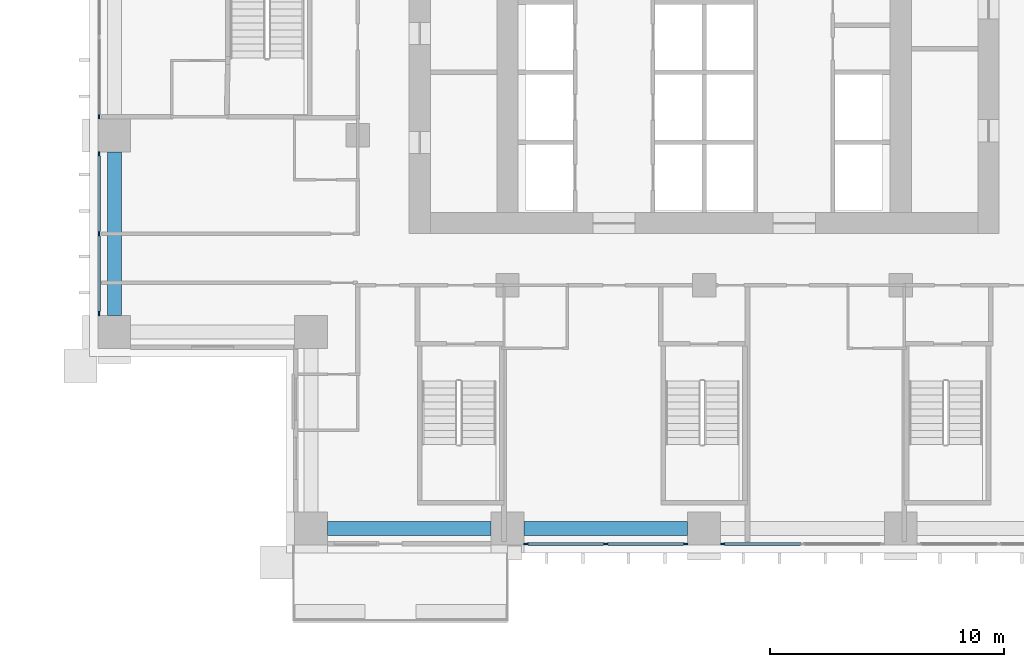
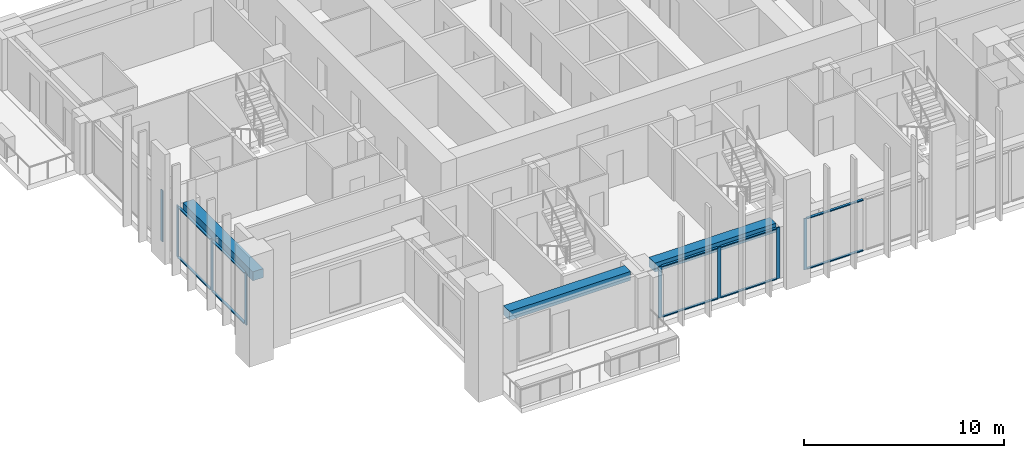
# One storey, part 2 of 17: 18 members, 3 beams, 4 elements without a shape of their own.
"""IFC4 building model written with IfcOpenShell, lengths in metres."""

from ifc_helpers import new_model, si_unit, direction, frame, origin, origin_2d, place, context, subcontext, project, spatial, rectangle, extrude, material, material_profile, profile_set, type_object, element, aggregate, save


model = new_model("IFC4")

# Units and contexts
model_context = context("Model", 3, precision=1e-05, world=origin(), true_north=direction((0.0, 1.0)))
body_context = subcontext(model_context, "Body", "Model", "MODEL_VIEW")
ifc_project = project(units=[si_unit("LENGTHUNIT", "METRE"), si_unit("AREAUNIT", "SQUARE_METRE"), si_unit("VOLUMEUNIT", "CUBIC_METRE"), si_unit("PLANEANGLEUNIT", "RADIAN"), si_unit("MASSUNIT", "GRAM", prefix="KILO")], contexts=[model_context])

# Site, building, storey
site_placement = place(None, origin())
site = spatial("IfcSite", under=ifc_project, at=site_placement, CompositionType="ELEMENT")
building_placement = place(site_placement, origin())
building = spatial("IfcBuilding", under=site, at=building_placement, Name="Vermilion Ogive Tower", CompositionType="ELEMENT")
storey_placement = place(building_placement, frame((0.0, 0.0, 69.0)))
storey = spatial("IfcBuildingStorey", under=building, at=storey_placement, Name="L16", CompositionType="ELEMENT", Elevation=69.0)

# Curtain wall, members
ifc_material_1 = material(Name="Low-iron laminated glazing in aluminium frame", Category="aluminium")
curtain_wall_type = type_object("IfcCurtainWallType", Name="Curtain wall CW7", PredefinedType="NOTDEFINED", material=ifc_material_1)
curtain_wall_1_placement = place(storey_placement, origin())
curtain_wall_1 = element("IfcCurtainWall", 1, at=curtain_wall_1_placement, inside=storey, type_object=curtain_wall_type, Name="Glazed skin S2", PredefinedType="NOTDEFINED")
ifc_material_2 = material(Name="Aluminium mullion", Category="aluminium")
ifc_material_profile_1 = material_profile(ifc_material_2, rectangle(XDim=0.06005859375, YDim=0.179931640625, at=origin_2d()), Name="AL 60x180")
ifc_profile_set_1 = profile_set([ifc_material_profile_1], Name="Aluminium mullion")
member_type_1 = type_object("IfcMemberType", Name="CW7 mullion 60x180", PredefinedType="MULLION", material=ifc_profile_set_1)
member_1_placement = place(storey_placement, frame((-7.610107421875, -21.64990234375, 0.0), z_axis=(0.0, 0.0, 1.0), x_axis=(0.0, 1.0, 0.0)))
member_1 = element("IfcMember", 2, at=member_1_placement, type_object=member_type_1, Name="CW7-S2 mullion 1", PredefinedType="MULLION", context=body_context, shape_type="SweptSolid", body=[
    extrude(rectangle(XDim=0.06005859375, YDim=0.179931640625, at=origin_2d()), origin(), (0.0, 0.0, 1.0), 3.1298828125),
])
member_2_placement = place(storey_placement, frame((-4.199951171875, -21.64990234375, 0.0), z_axis=(0.0, 0.0, 1.0), x_axis=(0.0, 1.0, 0.0)))
member_2 = element("IfcMember", 3, at=member_2_placement, type_object=member_type_1, Name="CW7-S2 mullion 2", PredefinedType="MULLION", context=body_context, shape_type="SweptSolid", body=[
    extrude(rectangle(XDim=0.06005859375, YDim=0.179931640625, at=origin_2d()), origin(), (0.0, 0.0, 1.0), 3.1298828125),
])
member_3_placement = place(storey_placement, frame((-0.7900390625, -21.64990234375, 0.0), z_axis=(0.0, 0.0, 1.0), x_axis=(0.0, 1.0, 0.0)))
member_3 = element("IfcMember", 4, at=member_3_placement, type_object=member_type_1, Name="CW7-S2 mullion 3", PredefinedType="MULLION", context=body_context, shape_type="SweptSolid", body=[
    extrude(rectangle(XDim=0.06005859375, YDim=0.179931640625, at=origin_2d()), origin(), (0.0, 0.0, 1.0), 3.1298828125),
])

# Curtain wall, member
curtain_wall_2_placement = place(storey_placement, origin())
curtain_wall_2 = element("IfcCurtainWall", 5, at=curtain_wall_2_placement, inside=storey, type_object=curtain_wall_type, Name="Glazed skin S3", PredefinedType="NOTDEFINED")
member_4_placement = place(storey_placement, frame((0.7900390625, -21.64990234375, 0.0), z_axis=(0.0, 0.0, 1.0), x_axis=(0.0, 1.0, 0.0)))
member_4 = element("IfcMember", 6, at=member_4_placement, type_object=member_type_1, Name="CW7-S3 mullion 1", PredefinedType="MULLION", context=body_context, shape_type="SweptSolid", body=[
    extrude(rectangle(XDim=0.06005859375, YDim=0.179931640625, at=origin_2d()), origin(), (0.0, 0.0, 1.0), 3.1298828125),
])

curtain_wall_3_placement = place(storey_placement, origin())
curtain_wall_3 = element("IfcCurtainWall", 7, at=curtain_wall_3_placement, inside=storey, type_object=curtain_wall_type, Name="Glazed skin W2", PredefinedType="NOTDEFINED")
member_5_placement = place(storey_placement, frame((-25.85009765625, -3.409912109375, 0.0), z_axis=(0.0, 0.0, 1.0), x_axis=(1.0, 0.0, 0.0)))
member_5 = element("IfcMember", 8, at=member_5_placement, type_object=member_type_1, Name="CW7-W2 mullion 3", PredefinedType="MULLION", context=body_context, shape_type="SweptSolid", body=[
    extrude(rectangle(XDim=0.06005859375, YDim=0.179931640625, at=origin_2d()), origin(), (0.0, 0.0, 1.0), 3.1298828125),
])
aggregate(curtain_wall_3, [member_5])

# Curtain wall, members
curtain_wall_4_placement = place(storey_placement, origin())
curtain_wall_4 = element("IfcCurtainWall", 9, at=curtain_wall_4_placement, inside=storey, type_object=curtain_wall_type, Name="Glazed skin W3", PredefinedType="NOTDEFINED")
member_6_placement = place(storey_placement, frame((-25.85009765625, -4.989990234375, 0.0), z_axis=(0.0, 0.0, 1.0), x_axis=(1.0, 0.0, 0.0)))
member_6 = element("IfcMember", 10, at=member_6_placement, type_object=member_type_1, Name="CW7-W3 mullion 1", PredefinedType="MULLION", context=body_context, shape_type="SweptSolid", body=[
    extrude(rectangle(XDim=0.06005859375, YDim=0.179931640625, at=origin_2d()), origin(), (0.0, 0.0, 1.0), 3.1298828125),
])
member_7_placement = place(storey_placement, frame((-25.85009765625, -8.39990234375, 0.0), z_axis=(0.0, 0.0, 1.0), x_axis=(1.0, 0.0, 0.0)))
member_7 = element("IfcMember", 11, at=member_7_placement, type_object=member_type_1, Name="CW7-W3 mullion 2", PredefinedType="MULLION", context=body_context, shape_type="SweptSolid", body=[
    extrude(rectangle(XDim=0.06005859375, YDim=0.179931640625, at=origin_2d()), origin(), (0.0, 0.0, 1.0), 3.1298828125),
])
member_8_placement = place(storey_placement, frame((-25.85009765625, -11.81005859375, 0.0), z_axis=(0.0, 0.0, 1.0), x_axis=(1.0, 0.0, 0.0)))
member_8 = element("IfcMember", 12, at=member_8_placement, type_object=member_type_1, Name="CW7-W3 mullion 3", PredefinedType="MULLION", context=body_context, shape_type="SweptSolid", body=[
    extrude(rectangle(XDim=0.06005859375, YDim=0.179931640625, at=origin_2d()), origin(), (0.0, 0.0, 1.0), 3.1298828125),
])

# Member
ifc_material_3 = material(Name="Aluminium transom", Category="aluminium")
ifc_material_profile_2 = material_profile(ifc_material_3, rectangle(XDim=0.139892578125, YDim=0.06005859375, at=origin_2d()), Name="AL 60x140")
ifc_profile_set_2 = profile_set([ifc_material_profile_2], Name="Aluminium transom")
member_type_2 = type_object("IfcMemberType", Name="CW7 transom 60x140", PredefinedType="USERDEFINED", material=ifc_profile_set_2)
member_9_placement = place(storey_placement, frame((-7.52001953125, -21.64990234375, 0.030029296875), z_axis=(1.0, 0.0, 0.0), x_axis=(0.0, 1.0, 0.0)))
member_9 = element("IfcMember", 13, at=member_9_placement, type_object=member_type_2, Name="CW7-S2 transom 1.1", ObjectType="TRANSOM", PredefinedType="USERDEFINED", context=body_context, shape_type="SweptSolid", body=[
    extrude(rectangle(XDim=0.139892578125, YDim=0.06005859375, at=origin_2d()), origin(), (0.0, 0.0, 1.0), 3.22998046875),
])

member_10_placement = place(storey_placement, frame((-7.52001953125, -21.64990234375, 3.10009765625), z_axis=(1.0, 0.0, 0.0), x_axis=(0.0, 1.0, 0.0)))
member_10 = element("IfcMember", 14, at=member_10_placement, type_object=member_type_2, Name="CW7-S2 transom 1.2", ObjectType="TRANSOM", PredefinedType="USERDEFINED", context=body_context, shape_type="SweptSolid", body=[
    extrude(rectangle(XDim=0.139892578125, YDim=0.06005859375, at=origin_2d()), origin(), (0.0, 0.0, 1.0), 3.22998046875),
])

member_11_placement = place(storey_placement, frame((-4.110107421875, -21.64990234375, 0.030029296875), z_axis=(1.0, 0.0, 0.0), x_axis=(0.0, 1.0, 0.0)))
member_11 = element("IfcMember", 15, at=member_11_placement, type_object=member_type_2, Name="CW7-S2 transom 2.1", ObjectType="TRANSOM", PredefinedType="USERDEFINED", context=body_context, shape_type="SweptSolid", body=[
    extrude(rectangle(XDim=0.139892578125, YDim=0.06005859375, at=origin_2d()), origin(), (0.0, 0.0, 1.0), 3.230224609375),
])

member_12_placement = place(storey_placement, frame((-4.110107421875, -21.64990234375, 3.10009765625), z_axis=(1.0, 0.0, 0.0), x_axis=(0.0, 1.0, 0.0)))
member_12 = element("IfcMember", 16, at=member_12_placement, type_object=member_type_2, Name="CW7-S2 transom 2.2", ObjectType="TRANSOM", PredefinedType="USERDEFINED", context=body_context, shape_type="SweptSolid", body=[
    extrude(rectangle(XDim=0.139892578125, YDim=0.06005859375, at=origin_2d()), origin(), (0.0, 0.0, 1.0), 3.230224609375),
])

aggregate(curtain_wall_1, [member_1, member_2, member_3, member_9, member_10, member_11, member_12])

member_13_placement = place(storey_placement, frame((0.8798828125, -21.64990234375, 0.030029296875), z_axis=(1.0, 0.0, 0.0), x_axis=(0.0, 1.0, 0.0)))
member_13 = element("IfcMember", 17, at=member_13_placement, type_object=member_type_2, Name="CW7-S3 transom 1.1", ObjectType="TRANSOM", PredefinedType="USERDEFINED", context=body_context, shape_type="SweptSolid", body=[
    extrude(rectangle(XDim=0.139892578125, YDim=0.06005859375, at=origin_2d()), origin(), (0.0, 0.0, 1.0), 3.230224609375),
])

member_14_placement = place(storey_placement, frame((0.8798828125, -21.64990234375, 3.10009765625), z_axis=(1.0, 0.0, 0.0), x_axis=(0.0, 1.0, 0.0)))
member_14 = element("IfcMember", 18, at=member_14_placement, type_object=member_type_2, Name="CW7-S3 transom 1.2", ObjectType="TRANSOM", PredefinedType="USERDEFINED", context=body_context, shape_type="SweptSolid", body=[
    extrude(rectangle(XDim=0.139892578125, YDim=0.06005859375, at=origin_2d()), origin(), (0.0, 0.0, 1.0), 3.230224609375),
])

aggregate(curtain_wall_2, [member_4, member_13, member_14])

member_15_placement = place(storey_placement, frame((-25.85009765625, -5.080078125, 0.030029296875), z_axis=(0.0, -1.0, 0.0), x_axis=(1.0, 0.0, 0.0)))
member_15 = element("IfcMember", 19, at=member_15_placement, type_object=member_type_2, Name="CW7-W3 transom 1.1", ObjectType="TRANSOM", PredefinedType="USERDEFINED", context=body_context, shape_type="SweptSolid", body=[
    extrude(rectangle(XDim=0.139892578125, YDim=0.06005859375, at=origin_2d()), origin(), (0.0, 0.0, 1.0), 3.22998046875),
])

member_16_placement = place(storey_placement, frame((-25.85009765625, -5.080078125, 3.10009765625), z_axis=(0.0, -1.0, 0.0), x_axis=(1.0, 0.0, 0.0)))
member_16 = element("IfcMember", 20, at=member_16_placement, type_object=member_type_2, Name="CW7-W3 transom 1.2", ObjectType="TRANSOM", PredefinedType="USERDEFINED", context=body_context, shape_type="SweptSolid", body=[
    extrude(rectangle(XDim=0.139892578125, YDim=0.06005859375, at=origin_2d()), origin(), (0.0, 0.0, 1.0), 3.22998046875),
])

member_17_placement = place(storey_placement, frame((-25.85009765625, -8.489990234375, 0.030029296875), z_axis=(0.0, -1.0, 0.0), x_axis=(1.0, 0.0, 0.0)))
member_17 = element("IfcMember", 21, at=member_17_placement, type_object=member_type_2, Name="CW7-W3 transom 2.1", ObjectType="TRANSOM", PredefinedType="USERDEFINED", context=body_context, shape_type="SweptSolid", body=[
    extrude(rectangle(XDim=0.139892578125, YDim=0.06005859375, at=origin_2d()), origin(), (0.0, 0.0, 1.0), 3.22998046875),
])

member_18_placement = place(storey_placement, frame((-25.85009765625, -8.489990234375, 3.10009765625), z_axis=(0.0, -1.0, 0.0), x_axis=(1.0, 0.0, 0.0)))
member_18 = element("IfcMember", 22, at=member_18_placement, type_object=member_type_2, Name="CW7-W3 transom 2.2", ObjectType="TRANSOM", PredefinedType="USERDEFINED", context=body_context, shape_type="SweptSolid", body=[
    extrude(rectangle(XDim=0.139892578125, YDim=0.06005859375, at=origin_2d()), origin(), (0.0, 0.0, 1.0), 3.22998046875),
])

aggregate(curtain_wall_4, [member_6, member_7, member_8, member_15, member_16, member_17, member_18])

# Beams
ifc_material_4 = material(Name="Concrete B45", Category="concrete")
ifc_material_profile_3 = material_profile(ifc_material_4, rectangle(XDim=0.60009765625, YDim=0.550048828125, at=origin_2d()), Name="600 x 550")
ifc_profile_set_3 = profile_set([ifc_material_profile_3], Name="Concrete B45")
beam_type = type_object("IfcBeamType", Name="Edge beam 600 x 550 B45", PredefinedType="BEAM", material=ifc_profile_set_3)
for number, where, z_axis, x_axis, name in (
    (23, (-16.10009765625, -21.0, 2.85498046875), (1.0, 0.0, 0.0), (0.0, 1.0, 0.0), "L16-EB-1"),
    (24, (-7.699951171875, -21.0, 2.85498046875), (1.0, 0.0, 0.0), (0.0, 1.0, 0.0), "L16-EB-2"),
    (25, (-25.199951171875, -4.89990234375, 2.85498046875), (0.0, -1.0, 0.0), (1.0, 0.0, 0.0), "L16-EB-16"),
):
    element("IfcBeam", number, at=place(storey_placement, frame(where, z_axis=z_axis, x_axis=x_axis)), inside=storey, type_object=beam_type, Name=name, PredefinedType="BEAM", context=body_context, shape_type="SweptSolid", body=[
        extrude(rectangle(XDim=0.60009765625, YDim=0.550048828125, at=origin_2d()), origin(), (0.0, 0.0, 1.0), 7.0),
    ])

save(model, "model.ifc")
